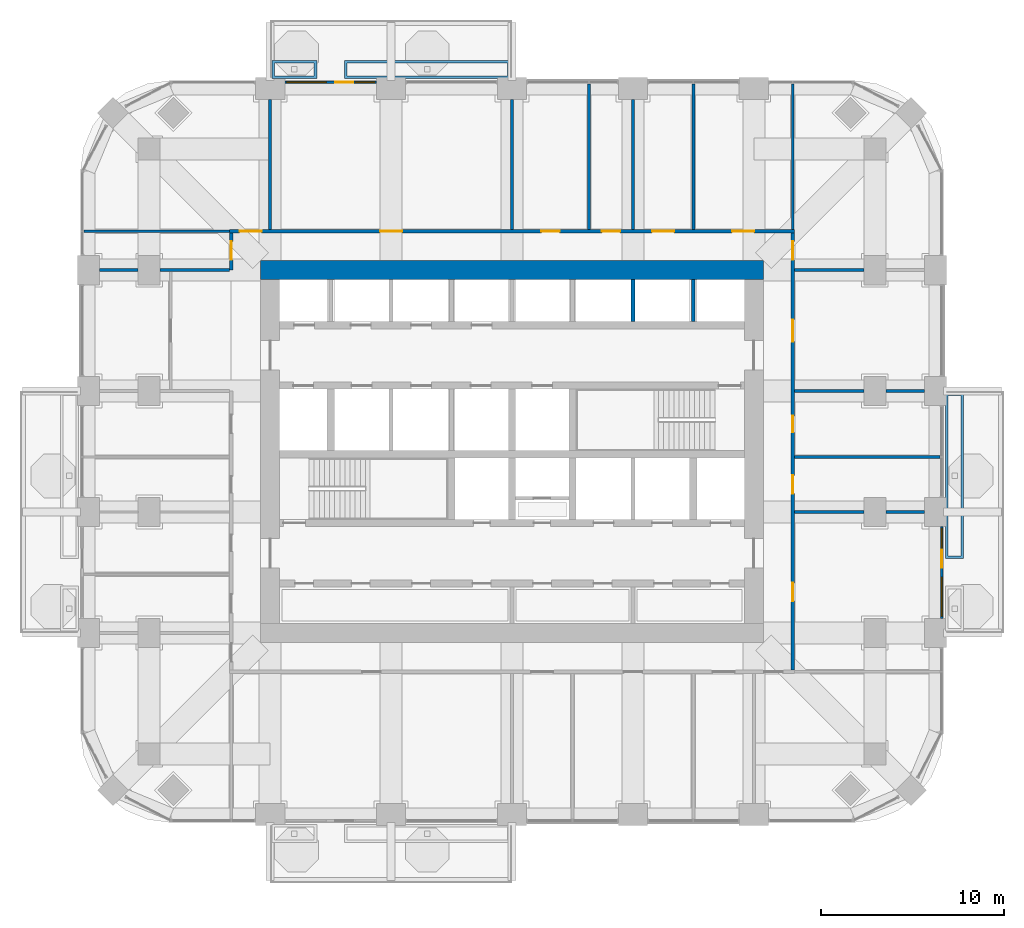
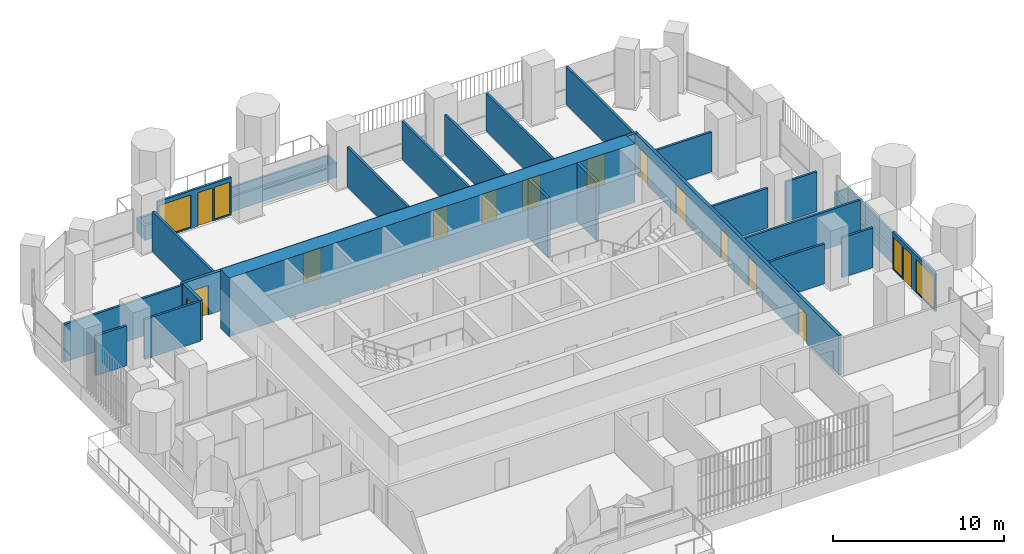
# One storey, part 14 of 20: 26 walls, 14 doors, 4 windows, 18 openings.
"""IFC4 building model written with IfcOpenShell, lengths in metres."""

import ifcopenshell
import ifcopenshell.guid

model = None  # the IFC model being written
_history = None  # IfcOwnerHistory: only IFC2X3 demands one
_inside = {}  # id of a spatial element -> (the spatial element, [elements in it])
_under = {}  # id of a project, library or spatial element -> (it, [spatial elements below it])
_declared = {}  # id of a project -> (the project, [libraries it declares])
_typed = {}  # id of a type object -> (the type object, [elements of that type])
_made_of = {}  # id of a material, layer set ... -> (it, [elements and type objects made of it])


def new_model(schema):
    """Start an empty IFC model of exactly this schema.

    Asked for "IFC4X3", IfcOpenShell would pick the latest addendum, in which some entities
    have other attributes; the version numbers below select the first issue.
    IFC2X3 requires an IfcOwnerHistory on every rooted entity: one is made here for all.
    """
    global model, _history
    if schema == "IFC4X3":
        model = ifcopenshell.file(schema_version=(4, 3, 0, 0))
    else:
        model = ifcopenshell.file(schema=schema)
    _inside.clear()
    _under.clear()
    _declared.clear()
    _typed.clear()
    _made_of.clear()
    _history = None
    if model.schema == "IFC2X3":
        org = make("IfcOrganization", Name="unknown")
        user = make(
            "IfcPersonAndOrganization",
            ThePerson=make("IfcPerson", FamilyName="unknown"),
            TheOrganization=org,
        )
        app = make(
            "IfcApplication",
            ApplicationDeveloper=org,
            Version="unknown",
            ApplicationFullName="unknown",
            ApplicationIdentifier="unknown",
        )
        _history = make(
            "IfcOwnerHistory",
            OwningUser=user,
            OwningApplication=app,
            ChangeAction="ADDED",
            CreationDate=0,
        )
    return model


def make(cls, **values):
    """One entity of the class cls with the attributes given. An attribute that is None is left unset."""
    return model.create_entity(
        cls, **{name: value for name, value in values.items() if value is not None}
    )


def rooted(cls, **values):
    """An entity with a GlobalId (a new one), such as an element, a storey or a relation."""
    return make(cls, GlobalId=ifcopenshell.guid.new(), OwnerHistory=_history, **values)


def si_unit(unit_type, name, prefix=None):
    """IfcSIUnit, for example si_unit("LENGTHUNIT", "METRE", prefix="MILLI")."""
    return make("IfcSIUnit", UnitType=unit_type, Prefix=prefix, Name=name)


def assignment(units):
    """IfcUnitAssignment: the units of a project."""
    return None if units is None else make("IfcUnitAssignment", Units=units)


def point(xyz):
    """IfcCartesianPoint."""
    return None if xyz is None else make("IfcCartesianPoint", Coordinates=xyz)


def direction(xyz):
    """IfcDirection."""
    return None if xyz is None else make("IfcDirection", DirectionRatios=xyz)


def frame(location, z_axis=None, x_axis=None):
    """IfcAxis2Placement3D, a coordinate frame: its origin and axes. An axis left out is left unset."""
    return make(
        "IfcAxis2Placement3D",
        Location=point(location),
        Axis=direction(z_axis),
        RefDirection=direction(x_axis),
    )


def frame_2d(location, x_axis=None):
    """IfcAxis2Placement2D, a coordinate frame in the plane: its origin and x axis."""
    return make(
        "IfcAxis2Placement2D", Location=point(location), RefDirection=direction(x_axis)
    )


def origin():
    """The frame at (0, 0, 0) with its axes left unset."""
    return frame((0.0, 0.0, 0.0))


def place(relative_to, where):
    """IfcLocalPlacement: puts the frame where relative to a parent placement (None: the world)."""
    return make(
        "IfcLocalPlacement", PlacementRelTo=relative_to, RelativePlacement=where
    )


def context(
    kind, dimensions, precision=None, world=None, true_north=None, identifier=None
):
    """IfcGeometricRepresentationContext, for example the 3D "Model" context."""
    return make(
        "IfcGeometricRepresentationContext",
        ContextIdentifier=identifier,
        ContextType=kind,
        CoordinateSpaceDimension=dimensions,
        Precision=precision,
        WorldCoordinateSystem=world,
        TrueNorth=true_north,
    )


def subcontext(parent, identifier, kind, view, scale=None):
    """IfcGeometricRepresentationSubContext, for example "Body" below "Model"."""
    return make(
        "IfcGeometricRepresentationSubContext",
        ContextIdentifier=identifier,
        ContextType=kind,
        ParentContext=parent,
        TargetScale=scale,
        TargetView=view,
    )


def project(units=None, contexts=None):
    """IfcProject with its units and contexts."""
    return rooted(
        "IfcProject",
        Name="project",
        RepresentationContexts=contexts,
        UnitsInContext=assignment(units),
    )


def spatial(cls, under=None, at=None, **own):
    """A site, building, storey or space (cls), placed at a placement, below another one or the project."""
    s = rooted(cls, ObjectPlacement=at, **own)
    if under is not None:
        _under.setdefault(under.id(), (under, []))[1].append(s)
    return s


def polyline(points):
    """IfcPolyline through the points."""
    return make("IfcPolyline", Points=[point(p) for p in points])


def profile(cls, at=None, kind="AREA", **sizes):
    """A parametric profile (cls). Its sizes go by their IFC names, for example OverallWidth=200.0."""
    return make(cls, ProfileType=kind, Position=at, **sizes)


def rectangle(**sizes):
    """IfcRectangleProfileDef."""
    return profile("IfcRectangleProfileDef", **sizes)


def outline(outer, holes=None, kind="AREA"):
    """IfcArbitraryClosedProfileDef: a profile drawn as a closed curve; with holes, ...WithVoids."""
    if holes is None:
        return make("IfcArbitraryClosedProfileDef", ProfileType=kind, OuterCurve=outer)
    return make(
        "IfcArbitraryProfileDefWithVoids",
        ProfileType=kind,
        OuterCurve=outer,
        InnerCurves=holes,
    )


def extrude(swept, where, along, depth):
    """IfcExtrudedAreaSolid: the profile swept, set in the frame where, extruded along a direction by depth."""
    return make(
        "IfcExtrudedAreaSolid",
        SweptArea=swept,
        Position=where,
        ExtrudedDirection=direction(along),
        Depth=depth,
    )


def shape(context_of_items, identifier, shape_type, items):
    """IfcShapeRepresentation: the items that make up one representation, for example the "Body"."""
    return make(
        "IfcShapeRepresentation",
        ContextOfItems=context_of_items,
        RepresentationIdentifier=identifier,
        RepresentationType=shape_type,
        Items=items,
    )


def material(Name=None, Category=None):
    """IfcMaterial."""
    return make("IfcMaterial", Name=Name, Category=Category)


def layer(
    of_material, thickness, ventilated=None, Name=None, Category=None, Priority=None
):
    """IfcMaterialLayer: one layer of a wall or slab, of a material (None: an air gap)."""
    return make(
        "IfcMaterialLayer",
        Material=of_material,
        LayerThickness=thickness,
        IsVentilated=ventilated,
        Name=Name,
        Category=Category,
        Priority=Priority,
    )


def layer_set(layers, Name=None):
    """IfcMaterialLayerSet."""
    return make("IfcMaterialLayerSet", MaterialLayers=layers, LayerSetName=Name)


def made_of(thing, what):
    """Note that an element or type object is made of a material, layer set ...; save() writes the relation."""
    if what is not None:
        _made_of.setdefault(what.id(), (what, []))[1].append(thing)
    return thing


def type_object(cls, material=None, **own):
    """A type object (cls), such as IfcWallType, which elements share."""
    return made_of(rooted(cls, **own), material)


def element(
    cls,
    number,
    at=None,
    inside=None,
    cuts=None,
    type_object=None,
    material=None,
    context=None,
    identifier="Body",
    shape_type=None,
    held_by="IfcProductDefinitionShape",
    body=None,
    shapes=None,
    **own,
):
    """One element of the class cls, such as IfcWall. Its Tag is "e" and its number.

    at: its placement. inside: the storey or other place that contains it. cuts: it is an
    opening in that element (IfcRelVoidsElement). A single representation is given by context,
    identifier, shape_type and body (its items); several are given by shapes. held_by: the class
    of the entity that holds the representations. save() writes the other relations.
    """
    e = rooted(cls, Tag="e%d" % number, ObjectPlacement=at, **own)
    if body is not None:
        shapes = [shape(context, identifier, shape_type, body)]
    if shapes is not None:
        e.Representation = make(held_by, Representations=shapes)
    if inside is not None:
        _inside.setdefault(inside.id(), (inside, []))[1].append(e)
    if cuts is not None:
        rooted(
            "IfcRelVoidsElement", RelatingBuildingElement=cuts, RelatedOpeningElement=e
        )
    if type_object is not None:
        _typed.setdefault(type_object.id(), (type_object, []))[1].append(e)
    return made_of(e, material)


def fill(opening, filler):
    """IfcRelFillsElement: the door or window that sits in an opening."""
    return rooted(
        "IfcRelFillsElement",
        RelatingOpeningElement=opening,
        RelatedBuildingElement=filler,
    )


def aggregate(whole, parts):
    """IfcRelAggregates: a whole, such as a stair, and the parts it consists of."""
    return rooted("IfcRelAggregates", RelatingObject=whole, RelatedObjects=parts)


def save(model, path):
    """Write the relations noted so far, then the file.

    IfcRelAggregates (storeys below a building ...), IfcRelContainedInSpatialStructure (elements
    in a storey), IfcRelDefinesByType, IfcRelAssociatesMaterial and IfcRelDeclares: one each for
    every whole, place, type object, material and project.
    """
    for whole, parts in _under.values():
        aggregate(whole, parts)
    for where, things in _inside.values():
        rooted(
            "IfcRelContainedInSpatialStructure",
            RelatedElements=things,
            RelatingStructure=where,
        )
    for kind, things in _typed.values():
        rooted("IfcRelDefinesByType", RelatedObjects=things, RelatingType=kind)
    for what, things in _made_of.values():
        rooted("IfcRelAssociatesMaterial", RelatedObjects=things, RelatingMaterial=what)
    for by, libraries in _declared.values():
        rooted("IfcRelDeclares", RelatingContext=by, RelatedDefinitions=libraries)
    model.write(path)


model = new_model("IFC4")

# Units and contexts
model_context = context("Model", 3, precision=1e-05, world=origin(), true_north=direction((0.0, 1.0)))
body_context = subcontext(model_context, "Body", "Model", "MODEL_VIEW")
ifc_project = project(units=[si_unit("LENGTHUNIT", "METRE"), si_unit("AREAUNIT", "SQUARE_METRE"), si_unit("VOLUMEUNIT", "CUBIC_METRE"), si_unit("PLANEANGLEUNIT", "RADIAN"), si_unit("MASSUNIT", "GRAM", prefix="KILO")], contexts=[model_context])

# Site, building, storey
site_placement = place(None, origin())
site = spatial("IfcSite", under=ifc_project, at=site_placement, CompositionType="ELEMENT")
building_placement = place(site_placement, origin())
building = spatial("IfcBuilding", under=site, at=building_placement, Name="Cobogo Forest Laboratory Tower", CompositionType="ELEMENT")
storey_placement = place(building_placement, frame((0.0, 0.0, 168.300048828125)))
storey = spatial("IfcBuildingStorey", under=building, at=storey_placement, Name="L38", CompositionType="ELEMENT", Elevation=168.300048828125)

# Wall
ifc_material_1 = material(Name="Concrete HA-50 (C50/60)", Category="concrete")
ifc_layer_1 = layer(ifc_material_1, 1.050048828125)
ifc_layer_set_1 = layer_set([ifc_layer_1], Name="CW1050 core outer wall 1050")
wall_type_1 = type_object("IfcWallType", Name="CW1050 core outer wall 1050", PredefinedType="SHEAR", material=ifc_layer_set_1)
wall_1_placement = place(storey_placement, frame((40.125, 33.0, 0.0), z_axis=(0.0, 0.0, 1.0), x_axis=(-1.0, 0.0, 0.0)))
element("IfcWall", 1, at=wall_1_placement, inside=storey, type_object=wall_type_1, Name="Core wall CO-N L38", PredefinedType="SHEAR", context=body_context, shape_type="SweptSolid", body=[
    extrude(rectangle(XDim=27.449951171875, YDim=1.050048828125, at=frame_2d((13.72509765625, 0.0))), origin(), (0.0, 0.0, 1.0), 4.199951171875),
])

# Wall, openings, door, windows
ifc_material_2 = material(Name="Aluminium framed glazed screen", Category="aluminium")
ifc_layer_2 = layer(ifc_material_2, 0.14990234375)
ifc_layer_set_2 = layer_set([ifc_layer_2], Name="GS1 glazed door screen 150")
wall_type_2 = type_object("IfcWallType", Name="GS1 glazed door screen 150", PredefinedType="SOLIDWALL", material=ifc_layer_set_2)
wall_2_placement = place(storey_placement, frame((49.85009765625, 14.0, 0.0), z_axis=(0.0, 0.0, 1.0), x_axis=(0.0, 1.0, 0.0)))
wall_2 = element("IfcWall", 2, at=wall_2_placement, inside=storey, type_object=wall_type_2, Name="Door screen BAL-E1 L38", PredefinedType="SOLIDWALL", context=body_context, shape_type="SweptSolid", body=[
    extrude(rectangle(XDim=5.0, YDim=0.14990234375, at=frame_2d((2.5, 0.0))), origin(), (0.0, 0.0, 1.0), 2.699951171875),
])
opening_1_placement = place(wall_2_placement, frame((2.75, 0.0, 0.0)))
opening_1 = element("IfcOpeningElement", 3, at=opening_1_placement, cuts=wall_2, Name="Opening L38-D19", PredefinedType="OPENING", context=body_context, shape_type="SweptSolid", body=[
    extrude(rectangle(XDim=1.0, YDim=2.39990234375, at=frame_2d((0.5, 1.199951171875))), frame((0.0, 0.0849609375, 0.0), z_axis=(0.0, -1.0, 0.0), x_axis=(1.0, 0.0, 0.0)), (0.0, 0.0, 1.0), 0.169921875),
])
opening_2_placement = place(wall_2_placement, frame((0.10009765625, 0.0, 0.10009765625)))
opening_2 = element("IfcOpeningElement", 4, at=opening_2_placement, cuts=wall_2, Name="Opening L38-W04", PredefinedType="OPENING", context=body_context, shape_type="SweptSolid", body=[
    extrude(rectangle(XDim=2.14990234375, YDim=2.300048828125, at=frame_2d((1.074951171875, 1.14990234375))), frame((0.0, 0.0849609375, 0.0), z_axis=(0.0, -1.0, 0.0), x_axis=(1.0, 0.0, 0.0)), (0.0, 0.0, 1.0), 0.169921875),
])
opening_3_placement = place(wall_2_placement, frame((3.85009765625, 0.0, 0.10009765625)))
opening_3 = element("IfcOpeningElement", 5, at=opening_3_placement, cuts=wall_2, Name="Opening L38-W06", PredefinedType="OPENING", context=body_context, shape_type="SweptSolid", body=[
    extrude(rectangle(XDim=1.050048828125, YDim=2.300048828125, at=frame_2d((0.52490234375, 1.14990234375))), frame((0.0, 0.0849609375, 0.0), z_axis=(0.0, -1.0, 0.0), x_axis=(1.0, 0.0, 0.0)), (0.0, 0.0, 1.0), 0.169921875),
])
ifc_material_3 = material(Name="Aluminium glazed door", Category="aluminium")
door_type_1 = type_object("IfcDoorType", Name="DB1 balcony door 1000 glazed", OperationType="SINGLE_SWING_LEFT", PredefinedType="DOOR", material=ifc_material_3)
door_1_placement = place(opening_1_placement, origin())
door_1 = element("IfcDoor", 6, at=door_1_placement, inside=storey, type_object=door_type_1, Name="Door L38-BAL-E1", OperationType="SINGLE_SWING_RIGHT", OverallHeight=2.39990234375, OverallWidth=1.0, PredefinedType="DOOR", context=body_context, shape_type="SweptSolid", body=[
    extrude(rectangle(XDim=1.0, YDim=2.39990234375, at=frame_2d((0.5, 1.199951171875))), frame((0.0, 0.02490234375, 0.0), z_axis=(0.0, -1.0, 0.0), x_axis=(1.0, 0.0, 0.0)), (0.0, 0.0, 1.0), 0.050048828125),
])
fill(opening_1, door_1)
ifc_material_4 = material(Name="Aluminium framed glazing", Category="aluminium")
window_type_1 = type_object("IfcWindowType", Name="WG13 fixed glazed light 2150x2300", PartitioningType="SINGLE_PANEL", PredefinedType="WINDOW", material=ifc_material_4)
window_1_placement = place(opening_2_placement, origin())
window_1 = element("IfcWindow", 7, at=window_1_placement, inside=storey, type_object=window_type_1, Name="Window L38-BAL-E1-1", OverallHeight=2.300048828125, OverallWidth=2.14990234375, PartitioningType="SINGLE_PANEL", PredefinedType="WINDOW", context=body_context, shape_type="SweptSolid", body=[
    extrude(rectangle(XDim=2.14990234375, YDim=2.300048828125, at=frame_2d((1.074951171875, 1.14990234375))), frame((0.0, 0.030029296875, 0.0), z_axis=(0.0, -1.0, 0.0), x_axis=(1.0, 0.0, 0.0)), (0.0, 0.0, 1.0), 0.06005859375),
])
fill(opening_2, window_1)
window_type_2 = type_object("IfcWindowType", Name="WG14 fixed glazed light 1050x2300", PartitioningType="SINGLE_PANEL", PredefinedType="WINDOW", material=ifc_material_4)
window_2_placement = place(opening_3_placement, origin())
window_2 = element("IfcWindow", 8, at=window_2_placement, inside=storey, type_object=window_type_2, Name="Window L38-BAL-E1-2", OverallHeight=2.300048828125, OverallWidth=1.050048828125, PartitioningType="SINGLE_PANEL", PredefinedType="WINDOW", context=body_context, shape_type="SweptSolid", body=[
    extrude(rectangle(XDim=1.050048828125, YDim=2.300048828125, at=frame_2d((0.52490234375, 1.14990234375))), frame((0.0, 0.030029296875, 0.0), z_axis=(0.0, -1.0, 0.0), x_axis=(1.0, 0.0, 0.0)), (0.0, 0.0, 1.0), 0.06005859375),
])
fill(opening_3, window_2)

wall_3_placement = place(storey_placement, frame((19.0, 43.25, 0.0), z_axis=(0.0, 0.0, 1.0), x_axis=(-1.0, 0.0, 0.0)))
wall_3 = element("IfcWall", 9, at=wall_3_placement, inside=storey, type_object=wall_type_2, Name="Door screen BAL-N1 L38", PredefinedType="SOLIDWALL", context=body_context, shape_type="SweptSolid", body=[
    extrude(rectangle(XDim=5.0, YDim=0.14990234375, at=frame_2d((2.5, 0.0))), origin(), (0.0, 0.0, 1.0), 2.699951171875),
])
opening_4_placement = place(wall_3_placement, frame((1.25, 0.0, 0.0)))
opening_4 = element("IfcOpeningElement", 10, at=opening_4_placement, cuts=wall_3, Name="Opening L38-D44", PredefinedType="OPENING", context=body_context, shape_type="SweptSolid", body=[
    extrude(rectangle(XDim=1.0, YDim=2.39990234375, at=frame_2d((0.5, 1.199951171875))), frame((0.0, 0.0849609375, 0.0), z_axis=(0.0, -1.0, 0.0), x_axis=(1.0, 0.0, 0.0)), (0.0, 0.0, 1.0), 0.169921875),
])
opening_5_placement = place(wall_3_placement, frame((0.10009765625, 0.0, 0.10009765625)))
opening_5 = element("IfcOpeningElement", 11, at=opening_5_placement, cuts=wall_3, Name="Opening L38-W08", PredefinedType="OPENING", context=body_context, shape_type="SweptSolid", body=[
    extrude(rectangle(XDim=1.050048828125, YDim=2.300048828125, at=frame_2d((0.52490234375, 1.14990234375))), frame((0.0, 0.0849609375, 0.0), z_axis=(0.0, -1.0, 0.0), x_axis=(1.0, 0.0, 0.0)), (0.0, 0.0, 1.0), 0.169921875),
])
opening_6_placement = place(wall_3_placement, frame((2.75, 0.0, 0.10009765625)))
opening_6 = element("IfcOpeningElement", 12, at=opening_6_placement, cuts=wall_3, Name="Opening L38-W07", PredefinedType="OPENING", context=body_context, shape_type="SweptSolid", body=[
    extrude(rectangle(XDim=2.14990234375, YDim=2.300048828125, at=frame_2d((1.074951171875, 1.14990234375))), frame((0.0, 0.0849609375, 0.0), z_axis=(0.0, -1.0, 0.0), x_axis=(1.0, 0.0, 0.0)), (0.0, 0.0, 1.0), 0.169921875),
])
door_2_placement = place(opening_4_placement, origin())
door_2 = element("IfcDoor", 13, at=door_2_placement, inside=storey, type_object=door_type_1, Name="Door L38-BAL-N1", OperationType="SINGLE_SWING_LEFT", OverallHeight=2.39990234375, OverallWidth=1.0, PredefinedType="DOOR", context=body_context, shape_type="SweptSolid", body=[
    extrude(rectangle(XDim=1.0, YDim=2.39990234375, at=frame_2d((0.5, 1.199951171875))), frame((0.0, 0.02490234375, 0.0), z_axis=(0.0, -1.0, 0.0), x_axis=(1.0, 0.0, 0.0)), (0.0, 0.0, 1.0), 0.050048828125),
])
fill(opening_4, door_2)
window_3_placement = place(opening_6_placement, origin())
window_3 = element("IfcWindow", 14, at=window_3_placement, inside=storey, type_object=window_type_1, Name="Window L38-BAL-N1-2", OverallHeight=2.300048828125, OverallWidth=2.14990234375, PartitioningType="SINGLE_PANEL", PredefinedType="WINDOW", context=body_context, shape_type="SweptSolid", body=[
    extrude(rectangle(XDim=2.14990234375, YDim=2.300048828125, at=frame_2d((1.074951171875, 1.14990234375))), frame((0.0, 0.030029296875, 0.0), z_axis=(0.0, -1.0, 0.0), x_axis=(1.0, 0.0, 0.0)), (0.0, 0.0, 1.0), 0.06005859375),
])
fill(opening_6, window_3)
window_4_placement = place(opening_5_placement, origin())
window_4 = element("IfcWindow", 15, at=window_4_placement, inside=storey, type_object=window_type_2, Name="Window L38-BAL-N1-1", OverallHeight=2.300048828125, OverallWidth=1.050048828125, PartitioningType="SINGLE_PANEL", PredefinedType="WINDOW", context=body_context, shape_type="SweptSolid", body=[
    extrude(rectangle(XDim=1.050048828125, YDim=2.300048828125, at=frame_2d((0.52490234375, 1.14990234375))), frame((0.0, 0.030029296875, 0.0), z_axis=(0.0, -1.0, 0.0), x_axis=(1.0, 0.0, 0.0)), (0.0, 0.0, 1.0), 0.06005859375),
])
fill(opening_5, window_4)

# Walls
ifc_material_5 = material(Name="Gypsum board on steel studs", Category="steel")
ifc_layer_3 = layer(ifc_material_5, 0.14990234375)
ifc_layer_set_3 = layer_set([ifc_layer_3], Name="PT1 laboratory partition 150")
wall_type_3 = type_object("IfcWallType", Name="PT1 laboratory partition 150", PredefinedType="PARTITIONING", material=ifc_layer_set_3)
wall_4_placement = place(storey_placement, frame((41.72509765625, 43.169921875, 0.0), z_axis=(0.0, 0.0, 1.0), x_axis=(0.0, -1.0, 0.0)))
element("IfcWall", 16, at=wall_4_placement, inside=storey, type_object=wall_type_3, Name="Partition PW-NE L38", PredefinedType="PARTITIONING", context=body_context, shape_type="SweptSolid", body=[
    extrude(rectangle(XDim=7.94482421875, YDim=0.14990234375, at=frame_2d((3.972412109375, 0.0))), origin(), (0.0, 0.0, 1.0), 2.699951171875),
])
for number, where, z_axis, x_axis, name in (
    (17, (3.030029296875, 35.125, 0.0), (0.0, 0.0, 1.0), (1.0, 0.0, 0.0), "Partition PW-NW L38"),
    (18, (49.77001953125, 22.800048828125, 0.0), (0.0, 0.0, 1.0), (-1.0, 0.0, 0.0), "Partition SVC-E1-1 L38"),
):
    element("IfcWall", number, at=place(storey_placement, frame(where, z_axis=z_axis, x_axis=x_axis)), inside=storey, type_object=wall_type_3, Name=name, PredefinedType="PARTITIONING", context=body_context, shape_type="SweptSolid", body=[
        extrude(rectangle(XDim=7.945068359375, YDim=0.14990234375, at=frame_2d((3.97265625, 0.0))), origin(), (0.0, 0.0, 1.0), 2.699951171875),
    ])
wall_5_placement = place(storey_placement, frame((48.89990234375, 26.39990234375, 0.0), z_axis=(0.0, 0.0, 1.0), x_axis=(-1.0, 0.0, 0.0)))
element("IfcWall", 19, at=wall_5_placement, inside=storey, type_object=wall_type_3, Name="Partition SVC-E2-1 L38", PredefinedType="PARTITIONING", context=body_context, shape_type="SweptSolid", body=[
    extrude(rectangle(XDim=2.099853515625, YDim=0.14990234375, at=frame_2d((1.0498046875, 0.0))), origin(), (0.0, 0.0, 1.0), 2.849853515625),
])
wall_6_placement = place(storey_placement, frame((45.60009765625, 26.39990234375, 0.0), z_axis=(0.0, 0.0, 1.0), x_axis=(-1.0, 0.0, 0.0)))
element("IfcWall", 20, at=wall_6_placement, inside=storey, type_object=wall_type_3, Name="Partition SVC-E2-2 L38", PredefinedType="PARTITIONING", context=body_context, shape_type="SweptSolid", body=[
    extrude(rectangle(XDim=3.775146484375, YDim=0.14990234375, at=frame_2d((1.8876953125, 0.0))), origin(), (0.0, 0.0, 1.0), 2.849853515625),
])
wall_7_placement = place(storey_placement, frame((48.89990234375, 19.800048828125, 0.0), z_axis=(0.0, 0.0, 1.0), x_axis=(-1.0, 0.0, 0.0)))
element("IfcWall", 21, at=wall_7_placement, inside=storey, type_object=wall_type_3, Name="Partition CUT-E19.8-1 L38", PredefinedType="PARTITIONING", context=body_context, shape_type="SweptSolid", body=[
    extrude(rectangle(XDim=2.099853515625, YDim=0.14990234375, at=frame_2d((1.0498046875, 0.0))), origin(), (0.0, 0.0, 1.0), 2.849853515625),
])
for number, where, z_axis, x_axis, name in (
    (22, (45.60009765625, 19.800048828125, 0.0), (0.0, 0.0, 1.0), (-1.0, 0.0, 0.0), "Partition CUT-E19.8-2 L38"),
    (23, (45.60009765625, 33.0, 0.0), (0.0, 0.0, 1.0), (-1.0, 0.0, 0.0), "Partition CUT-E33-2 L38"),
):
    element("IfcWall", number, at=place(storey_placement, frame(where, z_axis=z_axis, x_axis=x_axis)), inside=storey, type_object=wall_type_3, Name=name, PredefinedType="PARTITIONING", context=body_context, shape_type="SweptSolid", body=[
        extrude(rectangle(XDim=3.775146484375, YDim=0.14990234375, at=frame_2d((1.8876953125, 0.0))), origin(), (0.0, 0.0, 1.0), 2.849853515625),
    ])
wall_8_placement = place(storey_placement, frame((30.60009765625, 43.169921875, 0.0), z_axis=(0.0, 0.0, 1.0), x_axis=(0.0, -1.0, 0.0)))
element("IfcWall", 24, at=wall_8_placement, inside=storey, type_object=wall_type_3, Name="Partition SVC-N1-1 L38", PredefinedType="PARTITIONING", context=body_context, shape_type="SweptSolid", body=[
    extrude(rectangle(XDim=7.94482421875, YDim=0.14990234375, at=frame_2d((3.972412109375, 0.0))), origin(), (0.0, 0.0, 1.0), 2.699951171875),
])
for number, where, z_axis, x_axis, name in (
    (25, (33.0, 42.300048828125, 0.0), (0.0, 0.0, 1.0), (0.0, -1.0, 0.0), "Partition SVC-N2-1 L38"),
    (26, (13.199951171875, 42.300048828125, 0.0), (0.0, 0.0, 1.0), (0.0, -1.0, 0.0), "Partition CUT-N13.2-1 L38"),
    (27, (26.39990234375, 42.300048828125, 0.0), (0.0, 0.0, 1.0), (0.0, -1.0, 0.0), "Partition CUT-N26.4-1 L38"),
):
    element("IfcWall", number, at=place(storey_placement, frame(where, z_axis=z_axis, x_axis=x_axis)), inside=storey, type_object=wall_type_3, Name=name, PredefinedType="PARTITIONING", context=body_context, shape_type="SweptSolid", body=[
        extrude(rectangle(XDim=7.074951171875, YDim=0.14990234375, at=frame_2d((3.53759765625, 0.0))), origin(), (0.0, 0.0, 1.0), 2.849853515625),
    ])
wall_9_placement = place(storey_placement, frame((36.300048828125, 43.169921875, 0.0), z_axis=(0.0, 0.0, 1.0), x_axis=(0.0, -1.0, 0.0)))
element("IfcWall", 28, at=wall_9_placement, inside=storey, type_object=wall_type_3, Name="Partition CUT-N36.3-1 L38", PredefinedType="PARTITIONING", context=body_context, shape_type="SweptSolid", body=[
    extrude(rectangle(XDim=7.94482421875, YDim=0.14990234375, at=frame_2d((3.972412109375, 0.0))), origin(), (0.0, 0.0, 1.0), 2.699951171875),
])
wall_10_placement = place(storey_placement, frame((3.89990234375, 33.0, 0.0), z_axis=(0.0, 0.0, 1.0), x_axis=(1.0, 0.0, 0.0)))
element("IfcWall", 29, at=wall_10_placement, inside=storey, type_object=wall_type_3, Name="Partition CUT-W33-1 L38", PredefinedType="PARTITIONING", context=body_context, shape_type="SweptSolid", body=[
    extrude(rectangle(XDim=2.10009765625, YDim=0.14990234375, at=frame_2d((1.050048828125, 0.0))), origin(), (0.0, 0.0, 1.0), 2.849853515625),
])
wall_11_placement = place(storey_placement, frame((7.199951171875, 33.0, 0.0), z_axis=(0.0, 0.0, 1.0), x_axis=(1.0, 0.0, 0.0)))
element("IfcWall", 30, at=wall_11_placement, inside=storey, type_object=wall_type_3, Name="Partition CUT-W33-2 L38", PredefinedType="PARTITIONING", context=body_context, shape_type="SweptSolid", body=[
    extrude(rectangle(XDim=3.775146484375, YDim=0.14990234375, at=frame_2d((1.8876953125, 0.0))), origin(), (0.0, 0.0, 1.0), 2.849853515625),
])

# Wall, openings, doors
ifc_layer_4 = layer(ifc_material_5, 0.199951171875)
ifc_layer_set_4 = layer_set([ifc_layer_4], Name="PT2 fire-rated corridor partition 200")
wall_type_4 = type_object("IfcWallType", Name="PT2 fire-rated corridor partition 200", PredefinedType="PARTITIONING", material=ifc_layer_set_4)
wall_12_placement = place(storey_placement, frame((10.97509765625, 35.125, 0.0), z_axis=(0.0, 0.0, 1.0), x_axis=(1.0, 0.0, 0.0)))
wall_12 = element("IfcWall", 31, at=wall_12_placement, inside=storey, type_object=wall_type_4, Name="Partition CORR-N L38", PredefinedType="PARTITIONING", context=body_context, shape_type="SweptSolid", body=[
    extrude(rectangle(XDim=30.849853515625, YDim=0.199951171875, at=frame_2d((15.4248046875, 0.0))), origin(), (0.0, 0.0, 1.0), 2.849853515625),
])
opening_7_placement = place(wall_12_placement, frame((0.5625, 0.0, 0.0)))
opening_7 = element("IfcOpeningElement", 32, at=opening_7_placement, cuts=wall_12, Name="Opening L38-D38", PredefinedType="OPENING", context=body_context, shape_type="SweptSolid", body=[
    extrude(rectangle(XDim=1.199951171875, YDim=2.10009765625, at=frame_2d((0.60009765625, 1.050048828125))), frame((0.0, 0.10986328125, 0.0), z_axis=(0.0, -1.0, 0.0), x_axis=(1.0, 0.0, 0.0)), (0.0, 0.0, 1.0), 0.219970703125),
])
opening_8_placement = place(wall_12_placement, frame((8.22509765625, 0.0, 0.0)))
opening_8 = element("IfcOpeningElement", 33, at=opening_8_placement, cuts=wall_12, Name="Opening L38-D39", PredefinedType="OPENING", context=body_context, shape_type="SweptSolid", body=[
    extrude(rectangle(XDim=1.199951171875, YDim=2.10009765625, at=frame_2d((0.60009765625, 1.050048828125))), frame((0.0, 0.10986328125, 0.0), z_axis=(0.0, -1.0, 0.0), x_axis=(1.0, 0.0, 0.0)), (0.0, 0.0, 1.0), 0.219970703125),
])
opening_9_placement = place(wall_12_placement, frame((17.02490234375, 0.0, 0.0)))
opening_9 = element("IfcOpeningElement", 34, at=opening_9_placement, cuts=wall_12, Name="Opening L38-D40", PredefinedType="OPENING", context=body_context, shape_type="SweptSolid", body=[
    extrude(rectangle(XDim=1.0, YDim=2.10009765625, at=frame_2d((0.5, 1.050048828125))), frame((0.0, 0.10986328125, 0.0), z_axis=(0.0, -1.0, 0.0), x_axis=(1.0, 0.0, 0.0)), (0.0, 0.0, 1.0), 0.219970703125),
])
opening_10_placement = place(wall_12_placement, frame((20.324951171875, 0.0, 0.0)))
opening_10 = element("IfcOpeningElement", 35, at=opening_10_placement, cuts=wall_12, Name="Opening L38-D41", PredefinedType="OPENING", context=body_context, shape_type="SweptSolid", body=[
    extrude(rectangle(XDim=1.0, YDim=2.10009765625, at=frame_2d((0.5, 1.050048828125))), frame((0.0, 0.10986328125, 0.0), z_axis=(0.0, -1.0, 0.0), x_axis=(1.0, 0.0, 0.0)), (0.0, 0.0, 1.0), 0.219970703125),
])
opening_11_placement = place(wall_12_placement, frame((23.074951171875, 0.0, 0.0)))
opening_11 = element("IfcOpeningElement", 36, at=opening_11_placement, cuts=wall_12, Name="Opening L38-D42", PredefinedType="OPENING", context=body_context, shape_type="SweptSolid", body=[
    extrude(rectangle(XDim=1.199951171875, YDim=2.10009765625, at=frame_2d((0.60009765625, 1.050048828125))), frame((0.0, 0.10986328125, 0.0), z_axis=(0.0, -1.0, 0.0), x_axis=(1.0, 0.0, 0.0)), (0.0, 0.0, 1.0), 0.219970703125),
])
opening_12_placement = place(wall_12_placement, frame((27.4375, 0.0, 0.0)))
opening_12 = element("IfcOpeningElement", 37, at=opening_12_placement, cuts=wall_12, Name="Opening L38-D43", PredefinedType="OPENING", context=body_context, shape_type="SweptSolid", body=[
    extrude(rectangle(XDim=1.199951171875, YDim=2.10009765625, at=frame_2d((0.60009765625, 1.050048828125))), frame((0.0, 0.10986328125, 0.0), z_axis=(0.0, -1.0, 0.0), x_axis=(1.0, 0.0, 0.0)), (0.0, 0.0, 1.0), 0.219970703125),
])
ifc_material_6 = material(Name="Timber door", Category="wood")
door_type_2 = type_object("IfcDoorType", Name="D2 laboratory door 1200 unequal pair", OperationType="DOUBLE_DOOR_SINGLE_SWING", PredefinedType="DOOR", material=ifc_material_6)
door_3_placement = place(opening_7_placement, origin())
door_3 = element("IfcDoor", 38, at=door_3_placement, inside=storey, type_object=door_type_2, Name="Door L38-N1", OperationType="DOUBLE_DOOR_SINGLE_SWING", OverallHeight=2.10009765625, OverallWidth=1.199951171875, PredefinedType="DOOR", context=body_context, shape_type="SweptSolid", body=[
    extrude(rectangle(XDim=1.199951171875, YDim=2.10009765625, at=frame_2d((0.60009765625, 1.050048828125))), frame((0.0, 0.02490234375, 0.0), z_axis=(0.0, -1.0, 0.0), x_axis=(1.0, 0.0, 0.0)), (0.0, 0.0, 1.0), 0.050048828125),
])
fill(opening_7, door_3)
door_4_placement = place(opening_8_placement, origin())
door_4 = element("IfcDoor", 39, at=door_4_placement, inside=storey, type_object=door_type_2, Name="Door L38-N2", OperationType="DOUBLE_DOOR_SINGLE_SWING", OverallHeight=2.10009765625, OverallWidth=1.199951171875, PredefinedType="DOOR", context=body_context, shape_type="SweptSolid", body=[
    extrude(rectangle(XDim=1.199951171875, YDim=2.10009765625, at=frame_2d((0.60009765625, 1.050048828125))), frame((0.0, 0.02490234375, 0.0), z_axis=(0.0, -1.0, 0.0), x_axis=(1.0, 0.0, 0.0)), (0.0, 0.0, 1.0), 0.050048828125),
])
fill(opening_8, door_4)
door_5_placement = place(opening_11_placement, origin())
door_5 = element("IfcDoor", 40, at=door_5_placement, inside=storey, type_object=door_type_2, Name="Door L38-N3", OperationType="DOUBLE_DOOR_SINGLE_SWING", OverallHeight=2.10009765625, OverallWidth=1.199951171875, PredefinedType="DOOR", context=body_context, shape_type="SweptSolid", body=[
    extrude(rectangle(XDim=1.199951171875, YDim=2.10009765625, at=frame_2d((0.60009765625, 1.050048828125))), frame((0.0, 0.02490234375, 0.0), z_axis=(0.0, -1.0, 0.0), x_axis=(1.0, 0.0, 0.0)), (0.0, 0.0, 1.0), 0.050048828125),
])
fill(opening_11, door_5)
door_6_placement = place(opening_12_placement, origin())
door_6 = element("IfcDoor", 41, at=door_6_placement, inside=storey, type_object=door_type_2, Name="Door L38-N4", OperationType="DOUBLE_DOOR_SINGLE_SWING", OverallHeight=2.10009765625, OverallWidth=1.199951171875, PredefinedType="DOOR", context=body_context, shape_type="SweptSolid", body=[
    extrude(rectangle(XDim=1.199951171875, YDim=2.10009765625, at=frame_2d((0.60009765625, 1.050048828125))), frame((0.0, 0.02490234375, 0.0), z_axis=(0.0, -1.0, 0.0), x_axis=(1.0, 0.0, 0.0)), (0.0, 0.0, 1.0), 0.050048828125),
])
fill(opening_12, door_6)
ifc_material_7 = material(Name="Timber fire door", Category="wood")
door_type_3 = type_object("IfcDoorType", Name="FD2 fire door 1000 EI2 30", OperationType="SINGLE_SWING_LEFT", PredefinedType="DOOR", material=ifc_material_7)
door_7_placement = place(opening_9_placement, origin())
door_7 = element("IfcDoor", 42, at=door_7_placement, inside=storey, type_object=door_type_3, Name="Door L38-MTG", OperationType="SINGLE_SWING_RIGHT", OverallHeight=2.10009765625, OverallWidth=1.0, PredefinedType="DOOR", context=body_context, shape_type="SweptSolid", body=[
    extrude(rectangle(XDim=1.0, YDim=2.10009765625, at=frame_2d((0.5, 1.050048828125))), frame((0.0, 0.02490234375, 0.0), z_axis=(0.0, -1.0, 0.0), x_axis=(1.0, 0.0, 0.0)), (0.0, 0.0, 1.0), 0.050048828125),
])
fill(opening_9, door_7)
door_8_placement = place(opening_10_placement, origin())
door_8 = element("IfcDoor", 43, at=door_8_placement, inside=storey, type_object=door_type_3, Name="Door L38-PAN", OperationType="SINGLE_SWING_RIGHT", OverallHeight=2.10009765625, OverallWidth=1.0, PredefinedType="DOOR", context=body_context, shape_type="SweptSolid", body=[
    extrude(rectangle(XDim=1.0, YDim=2.10009765625, at=frame_2d((0.5, 1.050048828125))), frame((0.0, 0.02490234375, 0.0), z_axis=(0.0, -1.0, 0.0), x_axis=(1.0, 0.0, 0.0)), (0.0, 0.0, 1.0), 0.050048828125),
])
fill(opening_10, door_8)

# Wall, opening, door
wall_13_placement = place(storey_placement, frame((11.074951171875, 33.0, 0.0), z_axis=(0.0, 0.0, 1.0), x_axis=(0.0, 1.0, 0.0)))
wall_13 = element("IfcWall", 44, at=wall_13_placement, inside=storey, type_object=wall_type_4, Name="Partition CORR-W-2 L38", PredefinedType="PARTITIONING", context=body_context, shape_type="SweptSolid", body=[
    extrude(rectangle(XDim=2.02490234375, YDim=0.199951171875, at=frame_2d((1.012451171875, 0.0))), origin(), (0.0, 0.0, 1.0), 2.849853515625),
])
opening_13_placement = place(wall_13_placement, frame((0.5625, 0.0, 0.0)))
opening_13 = element("IfcOpeningElement", 45, at=opening_13_placement, cuts=wall_13, Name="Opening L38-D36", PredefinedType="OPENING", context=body_context, shape_type="SweptSolid", body=[
    extrude(rectangle(XDim=1.0, YDim=2.10009765625, at=frame_2d((0.5, 1.050048828125))), frame((0.0, 0.10986328125, 0.0), z_axis=(0.0, -1.0, 0.0), x_axis=(1.0, 0.0, 0.0)), (0.0, 0.0, 1.0), 0.219970703125),
])
door_9_placement = place(opening_13_placement, origin())
door_9 = element("IfcDoor", 46, at=door_9_placement, inside=storey, type_object=door_type_3, Name="Door L38-W4", OperationType="SINGLE_SWING_RIGHT", OverallHeight=2.10009765625, OverallWidth=1.0, PredefinedType="DOOR", context=body_context, shape_type="SweptSolid", body=[
    extrude(rectangle(XDim=1.0, YDim=2.10009765625, at=frame_2d((0.5, 1.050048828125))), frame((0.0, 0.02490234375, 0.0), z_axis=(0.0, -1.0, 0.0), x_axis=(1.0, 0.0, 0.0)), (0.0, 0.0, 1.0), 0.050048828125),
])
fill(opening_13, door_9)

# Wall, openings, doors
wall_14_placement = place(storey_placement, frame((41.72509765625, 11.175048828125, 0.0), z_axis=(0.0, 0.0, 1.0), x_axis=(0.0, 1.0, 0.0)))
wall_14 = element("IfcWall", 47, at=wall_14_placement, inside=storey, type_object=wall_type_4, Name="Partition CORR-E L38", PredefinedType="PARTITIONING", context=body_context, shape_type="SweptSolid", body=[
    extrude(rectangle(XDim=23.849853515625, YDim=0.199951171875, at=frame_2d((11.9248046875, 0.0))), origin(), (0.0, 0.0, 1.0), 2.849853515625),
])
opening_14_placement = place(wall_14_placement, frame((3.762451171875, 0.0, 0.0)))
opening_14 = element("IfcOpeningElement", 48, at=opening_14_placement, cuts=wall_14, Name="Opening L38-D09", PredefinedType="OPENING", context=body_context, shape_type="SweptSolid", body=[
    extrude(rectangle(XDim=1.0, YDim=2.10009765625, at=frame_2d((0.5, 1.050048828125))), frame((0.0, 0.10986328125, 0.0), z_axis=(0.0, -1.0, 0.0), x_axis=(1.0, 0.0, 0.0)), (0.0, 0.0, 1.0), 0.219970703125),
])
opening_15_placement = place(wall_14_placement, frame((9.625, 0.0, 0.0)))
opening_15 = element("IfcOpeningElement", 49, at=opening_15_placement, cuts=wall_14, Name="Opening L38-D28", PredefinedType="OPENING", context=body_context, shape_type="SweptSolid", body=[
    extrude(rectangle(XDim=1.0, YDim=2.10009765625, at=frame_2d((0.5, 1.050048828125))), frame((0.0, 0.10986328125, 0.0), z_axis=(0.0, -1.0, 0.0), x_axis=(1.0, 0.0, 0.0)), (0.0, 0.0, 1.0), 0.219970703125),
])
opening_16_placement = place(wall_14_placement, frame((12.97509765625, 0.0, 0.0)))
opening_16 = element("IfcOpeningElement", 50, at=opening_16_placement, cuts=wall_14, Name="Opening L38-D30", PredefinedType="OPENING", context=body_context, shape_type="SweptSolid", body=[
    extrude(rectangle(XDim=0.89990234375, YDim=2.10009765625, at=frame_2d((0.449951171875, 1.050048828125))), frame((0.0, 0.10986328125, 0.0), z_axis=(0.0, -1.0, 0.0), x_axis=(1.0, 0.0, 0.0)), (0.0, 0.0, 1.0), 0.219970703125),
])
opening_17_placement = place(wall_14_placement, frame((17.925048828125, 0.0, 0.0)))
opening_17 = element("IfcOpeningElement", 51, at=opening_17_placement, cuts=wall_14, Name="Opening L38-D35", PredefinedType="OPENING", context=body_context, shape_type="SweptSolid", body=[
    extrude(rectangle(XDim=1.199951171875, YDim=2.10009765625, at=frame_2d((0.60009765625, 1.050048828125))), frame((0.0, 0.10986328125, 0.0), z_axis=(0.0, -1.0, 0.0), x_axis=(1.0, 0.0, 0.0)), (0.0, 0.0, 1.0), 0.219970703125),
])
opening_18_placement = place(wall_14_placement, frame((22.387451171875, 0.0, 0.0)))
opening_18 = element("IfcOpeningElement", 52, at=opening_18_placement, cuts=wall_14, Name="Opening L38-D37", PredefinedType="OPENING", context=body_context, shape_type="SweptSolid", body=[
    extrude(rectangle(XDim=1.0, YDim=2.10009765625, at=frame_2d((0.5, 1.050048828125))), frame((0.0, 0.10986328125, 0.0), z_axis=(0.0, -1.0, 0.0), x_axis=(1.0, 0.0, 0.0)), (0.0, 0.0, 1.0), 0.219970703125),
])
door_10_placement = place(opening_17_placement, origin())
door_10 = element("IfcDoor", 53, at=door_10_placement, inside=storey, type_object=door_type_2, Name="Door L38-E2", OperationType="DOUBLE_DOOR_SINGLE_SWING", OverallHeight=2.10009765625, OverallWidth=1.199951171875, PredefinedType="DOOR", context=body_context, shape_type="SweptSolid", body=[
    extrude(rectangle(XDim=1.199951171875, YDim=2.10009765625, at=frame_2d((0.60009765625, 1.050048828125))), frame((0.0, 0.02490234375, 0.0), z_axis=(0.0, -1.0, 0.0), x_axis=(1.0, 0.0, 0.0)), (0.0, 0.0, 1.0), 0.050048828125),
])
fill(opening_17, door_10)
ifc_material_8 = material(Name="Steel fire door", Category="steel")
door_type_4 = type_object("IfcDoorType", Name="FD1 fire door 1000 EI2 60", OperationType="SINGLE_SWING_LEFT", PredefinedType="DOOR", material=ifc_material_8)
door_11_placement = place(opening_15_placement, origin())
door_11 = element("IfcDoor", 54, at=door_11_placement, inside=storey, type_object=door_type_4, Name="Door L38-ELEC", OperationType="SINGLE_SWING_LEFT", OverallHeight=2.10009765625, OverallWidth=1.0, PredefinedType="DOOR", context=body_context, shape_type="SweptSolid", body=[
    extrude(rectangle(XDim=1.0, YDim=2.10009765625, at=frame_2d((0.5, 1.050048828125))), frame((0.0, 0.02490234375, 0.0), z_axis=(0.0, -1.0, 0.0), x_axis=(1.0, 0.0, 0.0)), (0.0, 0.0, 1.0), 0.050048828125),
])
fill(opening_15, door_11)
door_12_placement = place(opening_14_placement, origin())
door_12 = element("IfcDoor", 55, at=door_12_placement, inside=storey, type_object=door_type_3, Name="Door L38-E1", OperationType="SINGLE_SWING_LEFT", OverallHeight=2.10009765625, OverallWidth=1.0, PredefinedType="DOOR", context=body_context, shape_type="SweptSolid", body=[
    extrude(rectangle(XDim=1.0, YDim=2.10009765625, at=frame_2d((0.5, 1.050048828125))), frame((0.0, 0.02490234375, 0.0), z_axis=(0.0, -1.0, 0.0), x_axis=(1.0, 0.0, 0.0)), (0.0, 0.0, 1.0), 0.050048828125),
])
fill(opening_14, door_12)
door_13_placement = place(opening_18_placement, origin())
door_13 = element("IfcDoor", 56, at=door_13_placement, inside=storey, type_object=door_type_3, Name="Door L38-E3", OperationType="SINGLE_SWING_RIGHT", OverallHeight=2.10009765625, OverallWidth=1.0, PredefinedType="DOOR", context=body_context, shape_type="SweptSolid", body=[
    extrude(rectangle(XDim=1.0, YDim=2.10009765625, at=frame_2d((0.5, 1.050048828125))), frame((0.0, 0.02490234375, 0.0), z_axis=(0.0, -1.0, 0.0), x_axis=(1.0, 0.0, 0.0)), (0.0, 0.0, 1.0), 0.050048828125),
])
fill(opening_18, door_13)
door_type_5 = type_object("IfcDoorType", Name="FD4 riser access door 900 EI2 60", OperationType="SINGLE_SWING_LEFT", PredefinedType="DOOR", material=ifc_material_8)
door_14_placement = place(opening_16_placement, origin())
door_14 = element("IfcDoor", 57, at=door_14_placement, inside=storey, type_object=door_type_5, Name="Door L38-COMMS", OperationType="SINGLE_SWING_RIGHT", OverallHeight=2.10009765625, OverallWidth=0.89990234375, PredefinedType="DOOR", context=body_context, shape_type="SweptSolid", body=[
    extrude(rectangle(XDim=0.89990234375, YDim=2.10009765625, at=frame_2d((0.449951171875, 1.050048828125))), frame((0.0, 0.02490234375, 0.0), z_axis=(0.0, -1.0, 0.0), x_axis=(1.0, 0.0, 0.0)), (0.0, 0.0, 1.0), 0.050048828125),
])
fill(opening_16, door_14)

# Walls
ifc_material_9 = material(Name="Concrete HA-40 (C40/50)", Category="concrete")
ifc_layer_5 = layer(ifc_material_9, 0.14990234375)
ifc_layer_set_5 = layer_set([ifc_layer_5], Name="Planter box 1000x1050")
wall_type_5 = type_object("IfcWallType", Name="Planter box 1000x1050", PredefinedType="USERDEFINED", material=ifc_layer_set_5)
wall_15_placement = place(storey_placement, origin())
element("IfcWall", 58, at=wall_15_placement, inside=storey, type_object=wall_type_5, Name="Planter BAL-E1-2 L38", ObjectType="PLANTER", PredefinedType="USERDEFINED", context=body_context, shape_type="SweptSolid", body=[
    extrude(outline(polyline([(50.050048828125, 17.25), (51.050048828125, 17.25), (51.050048828125, 26.300048828125), (50.050048828125, 26.300048828125), (50.050048828125, 17.25)]), holes=[polyline([(50.199951171875, 17.39990234375), (50.89990234375, 17.39990234375), (50.89990234375, 26.14990234375), (50.199951171875, 26.14990234375), (50.199951171875, 17.39990234375)])]), origin(), (0.0, 0.0, 1.0), 1.050048828125),
])
wall_16_placement = place(storey_placement, origin())
element("IfcWall", 59, at=wall_16_placement, inside=storey, type_object=wall_type_5, Name="Planter BAL-N1-1 L38", ObjectType="PLANTER", PredefinedType="USERDEFINED", context=body_context, shape_type="SweptSolid", body=[
    extrude(outline(polyline([(13.300048828125, 43.449951171875), (15.75, 43.449951171875), (15.75, 44.449951171875), (13.300048828125, 44.449951171875), (13.300048828125, 43.449951171875)]), holes=[polyline([(13.449951171875, 43.60009765625), (15.60009765625, 43.60009765625), (15.60009765625, 44.300048828125), (13.449951171875, 44.300048828125), (13.449951171875, 43.60009765625)])]), origin(), (0.0, 0.0, 1.0), 1.050048828125),
])
wall_17_placement = place(storey_placement, origin())
element("IfcWall", 60, at=wall_17_placement, inside=storey, type_object=wall_type_5, Name="Planter BAL-N1-2 L38", ObjectType="PLANTER", PredefinedType="USERDEFINED", context=body_context, shape_type="SweptSolid", body=[
    extrude(outline(polyline([(17.25, 43.449951171875), (26.300048828125, 43.449951171875), (26.300048828125, 44.449951171875), (17.25, 44.449951171875), (17.25, 43.449951171875)]), holes=[polyline([(17.39990234375, 43.60009765625), (26.14990234375, 43.60009765625), (26.14990234375, 44.300048828125), (17.39990234375, 44.300048828125), (17.39990234375, 43.60009765625)])]), origin(), (0.0, 0.0, 1.0), 1.050048828125),
])
ifc_material_10 = material(Name="Concrete block", Category="concrete")
ifc_layer_6 = layer(ifc_material_10, 0.199951171875)
ifc_layer_set_6 = layer_set([ifc_layer_6], Name="SW200 lift shaft separator 200")
wall_type_6 = type_object("IfcWallType", Name="SW200 lift shaft separator 200", PredefinedType="PARTITIONING", material=ifc_layer_set_6)
for number, where, z_axis, x_axis, name in (
    (61, (33.0, 30.199951171875, 0.0), (0.0, 0.0, 1.0), (0.0, 1.0, 0.0), "Core wall SEP-N6 L38"),
    (62, (36.300048828125, 30.199951171875, 0.0), (0.0, 0.0, 1.0), (0.0, 1.0, 0.0), "Core wall SEP-N7 L38"),
):
    element("IfcWall", number, at=place(storey_placement, frame(where, z_axis=z_axis, x_axis=x_axis)), inside=storey, type_object=wall_type_6, Name=name, PredefinedType="PARTITIONING", context=body_context, shape_type="SweptSolid", body=[
        extrude(rectangle(XDim=2.275146484375, YDim=0.199951171875, at=frame_2d((1.1376953125, 0.0))), origin(), (0.0, 0.0, 1.0), 4.199951171875),
    ])

save(model, "model.ifc")
